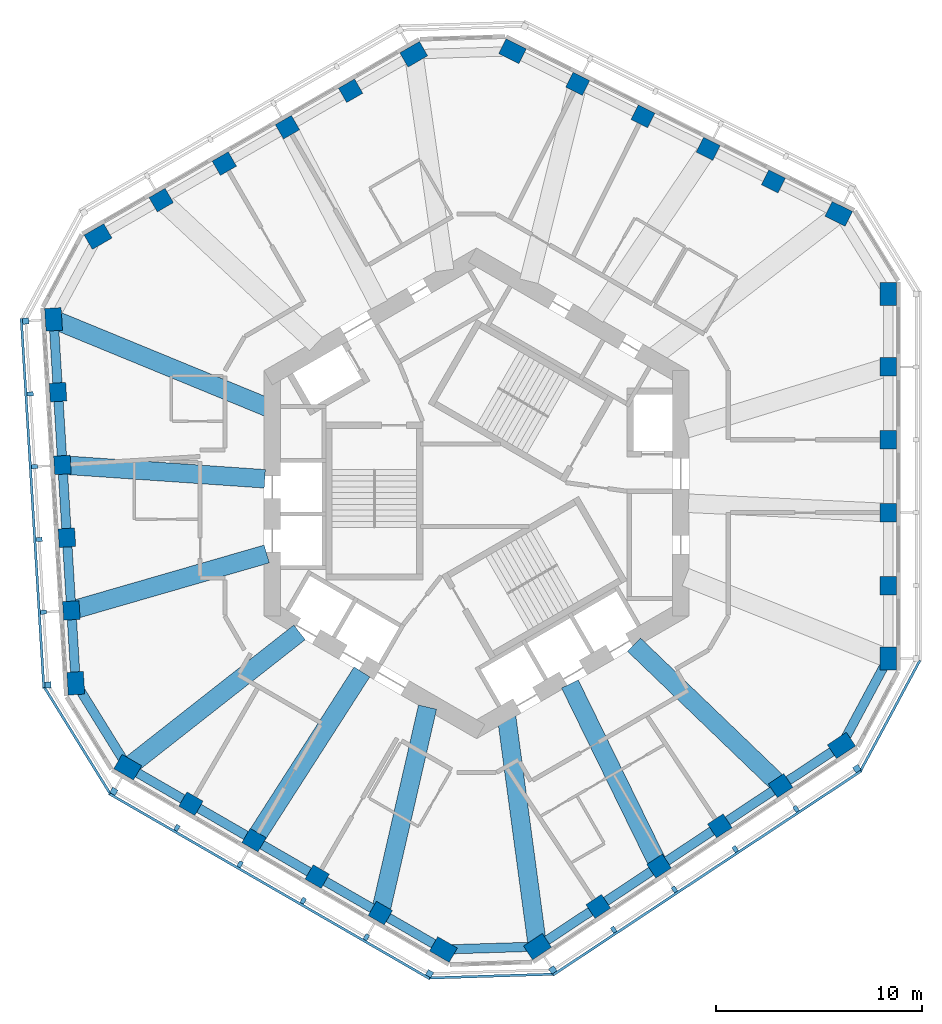
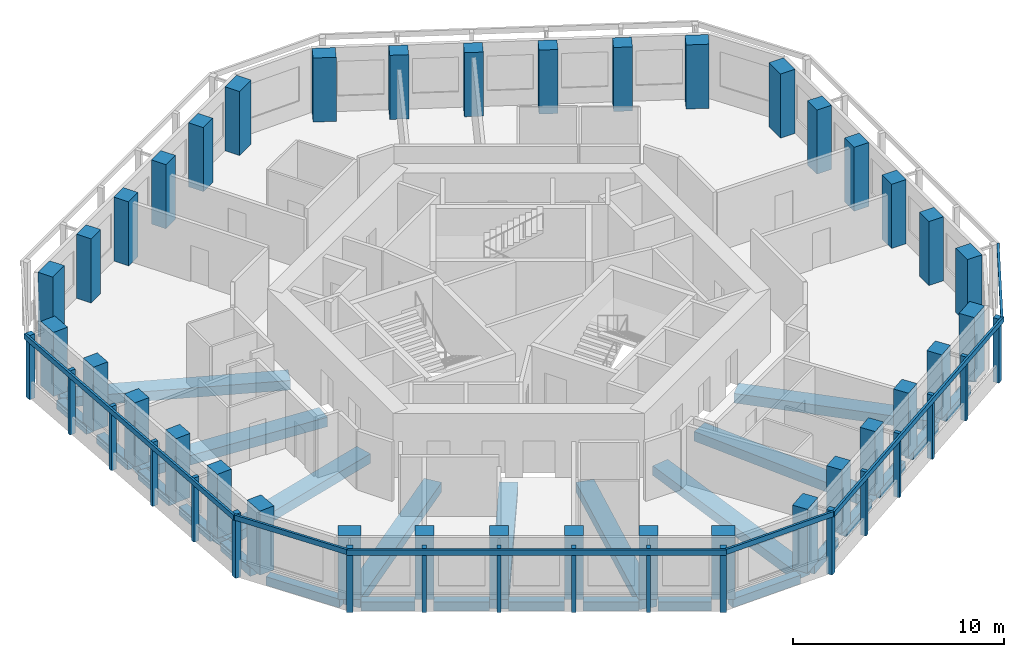
# One storey, part 1 of 11: 36 columns, 27 beams, 24 members, 6 elements without a shape of their own.
"""IFC4 building model written with IfcOpenShell, lengths in metres."""

from ifc_helpers import new_model, si_unit, direction, frame, origin, origin_2d, place, context, subcontext, project, spatial, rectangle, extrude, material, material_profile, profile_set, type_object, element, aggregate, save


model = new_model("IFC4")

# Units and contexts
model_context = context("Model", 3, precision=1e-05, world=origin(), true_north=direction((0.0, 1.0)))
body_context = subcontext(model_context, "Body", "Model", "MODEL_VIEW")
ifc_project = project(units=[si_unit("LENGTHUNIT", "METRE"), si_unit("AREAUNIT", "SQUARE_METRE"), si_unit("VOLUMEUNIT", "CUBIC_METRE"), si_unit("PLANEANGLEUNIT", "RADIAN"), si_unit("MASSUNIT", "GRAM", prefix="KILO")], contexts=[model_context])

# Site, building, storey
site_placement = place(None, origin())
site = spatial("IfcSite", under=ifc_project, at=site_placement, CompositionType="ELEMENT")
building_placement = place(site_placement, origin())
building = spatial("IfcBuilding", under=site, at=building_placement, Name="Vanh Sen Convention Tower", CompositionType="ELEMENT")
storey_placement = place(building_placement, frame((0.0, 0.0, 236.5)))
storey = spatial("IfcBuildingStorey", under=building, at=storey_placement, Name="L58", CompositionType="ELEMENT", Elevation=236.5)

# Columns
ifc_material_1 = material(Name="Concrete C60/75", Category="concrete")
ifc_material_profile_1 = material_profile(ifc_material_1, rectangle(XDim=0.89990234375, YDim=0.800048828125, at=origin_2d()), Name="RC 900X800")
ifc_profile_set_1 = profile_set([ifc_material_profile_1], Name="Concrete C60/75")
column_type_1 = type_object("IfcColumnType", Name="Facade column 900 x 800 C60/75", PredefinedType="COLUMN", material=ifc_profile_set_1)
for number, where, z_axis, x_axis, name in (
    (1, (19.949951171875, -4.46923828125, 0.0), (0.0, 0.0, 1.0), (0.0, 1.0, 0.0), "Facade column 02 L58"),
    (2, (19.949951171875, -0.935546875, 0.0), (0.0, 0.0, 1.0), (0.0, 1.0, 0.0), "Facade column 03 L58"),
    (3, (19.949951171875, 2.59814453125, 0.0), (0.0, 0.0, 1.0), (0.0, 1.0, 0.0), "Facade column 04 L58"),
    (4, (19.949951171875, 6.131591796875, 0.0), (0.0, 0.0, 1.0), (0.0, 1.0, 0.0), "Facade column 05 L58"),
    (5, (14.38916015625, 15.117919921875, 0.0), (0.0, 0.0, 1.0), (-0.894934361602, 0.44619781311, 0.0), "Facade column 08 L58"),
    (6, (11.226806640625, 16.694580078125, 0.0), (0.0, 0.0, 1.0), (-0.894934361602, 0.44619781311, 0.0), "Facade column 09 L58"),
    (7, (8.064453125, 18.271484375, 0.0), (0.0, 0.0, 1.0), (-0.894934361602, 0.44619781311, 0.0), "Facade column 10 L58"),
    (8, (4.902099609375, 19.84814453125, 0.0), (0.0, 0.0, 1.0), (-0.894934361602, 0.44619781311, 0.0), "Facade column 11 L58"),
    (9, (-6.1044921875, 19.51171875, 0.0), (0.0, 0.0, 1.0), (-0.866025403784, -0.5, 0.0), "Facade column 14 L58"),
    (10, (-9.164794921875, 17.7451171875, 0.0), (0.0, 0.0, 1.0), (-0.866025403784, -0.5, 0.0), "Facade column 15 L58"),
    (11, (-12.22509765625, 15.978271484375, 0.0), (0.0, 0.0, 1.0), (-0.866025403784, -0.5, 0.0), "Facade column 16 L58"),
    (12, (-15.28515625, 14.211181640625, 0.0), (0.0, 0.0, 1.0), (-0.866025403784, -0.5, 0.0), "Facade column 17 L58"),
    (13, (-20.287109375, 4.90234375, 0.0), (0.0, 0.0, 1.0), (0.061048539535, -0.998134798422, 0.0), "Facade column 20 L58"),
    (14, (-20.0712890625, 1.375244140625, 0.0), (0.0, 0.0, 1.0), (0.061048539535, -0.998134798422, 0.0), "Facade column 21 L58"),
    (15, (-19.855712890625, -2.151611328125, 0.0), (0.0, 0.0, 1.0), (0.061048539535, -0.998134798422, 0.0), "Facade column 22 L58"),
    (16, (-19.639892578125, -5.6787109375, 0.0), (0.0, 0.0, 1.0), (0.061048539535, -0.998134798422, 0.0), "Facade column 23 L58"),
    (17, (-13.845458984375, -15.04248046875, 0.0), (0.0, 0.0, 1.0), (0.866025403784, -0.5, 0.0), "Facade column 26 L58"),
    (18, (-10.78515625, -16.809326171875, 0.0), (0.0, 0.0, 1.0), (0.866025403784, -0.5, 0.0), "Facade column 27 L58"),
    (19, (-7.72509765625, -18.576416015625, 0.0), (0.0, 0.0, 1.0), (0.866025403784, -0.5, 0.0), "Facade column 28 L58"),
    (20, (-4.664794921875, -20.343017578125, 0.0), (0.0, 0.0, 1.0), (0.866025403784, -0.5, 0.0), "Facade column 29 L58"),
    (21, (5.89794921875, -20.0205078125, 0.0), (0.0, 0.0, 1.0), (0.833885822067, 0.551936985312, 0.0), "Facade column 32 L58"),
    (22, (8.844482421875, -18.070068359375, 0.0), (0.0, 0.0, 1.0), (0.833885822067, 0.551936985312, 0.0), "Facade column 33 L58"),
    (23, (11.791259765625, -16.11962890625, 0.0), (0.0, 0.0, 1.0), (0.833885822067, 0.551936985312, 0.0), "Facade column 34 L58"),
    (24, (14.73779296875, -14.169189453125, 0.0), (0.0, 0.0, 1.0), (0.833885822067, 0.551936985312, 0.0), "Facade column 35 L58"),
):
    element("IfcColumn", number, at=place(storey_placement, frame(where, z_axis=z_axis, x_axis=x_axis)), inside=storey, type_object=column_type_1, Name=name, PredefinedType="COLUMN", context=body_context, shape_type="SweptSolid", body=[
        extrude(rectangle(XDim=0.89990234375, YDim=0.800048828125, at=origin_2d()), origin(), (0.0, 0.0, 1.0), 3.699951171875),
    ])
ifc_material_profile_2 = material_profile(ifc_material_1, rectangle(XDim=1.10009765625, YDim=0.800048828125, at=origin_2d()), Name="RC 1100X800")
ifc_profile_set_2 = profile_set([ifc_material_profile_2], Name="Concrete C60/75")
column_type_2 = type_object("IfcColumnType", Name="Facade corner column 1100 x 800 C60/75", PredefinedType="COLUMN", material=ifc_profile_set_2)
for number, where, z_axis, x_axis, name in (
    (25, (19.949951171875, -8.002685546875, 0.0), (0.0, 0.0, 1.0), (0.0, 1.0, 0.0), "Facade column 01 L58"),
    (26, (19.949951171875, 9.665283203125, 0.0), (0.0, 0.0, 1.0), (0.0, 1.0, 0.0), "Facade column 06 L58"),
    (27, (17.551513671875, 13.541259765625, 0.0), (0.0, 0.0, 1.0), (-0.894934361602, 0.44619781311, 0.0), "Facade column 07 L58"),
    (28, (1.73974609375, 21.4248046875, 0.0), (0.0, 0.0, 1.0), (-0.894934361602, 0.44619781311, 0.0), "Facade column 12 L58"),
    (29, (-3.04443359375, 21.278564453125, 0.0), (0.0, 0.0, 1.0), (-0.866025403784, -0.5, 0.0), "Facade column 13 L58"),
    (30, (-18.345458984375, 12.444580078125, 0.0), (0.0, 0.0, 1.0), (-0.866025403784, -0.5, 0.0), "Facade column 18 L58"),
    (31, (-20.502685546875, 8.429443359375, 0.0), (0.0, 0.0, 1.0), (0.061048539535, -0.998134798422, 0.0), "Facade column 19 L58"),
    (32, (-19.42431640625, -9.205810546875, 0.0), (0.0, 0.0, 1.0), (0.061048539535, -0.998134798422, 0.0), "Facade column 24 L58"),
    (33, (-16.905517578125, -13.27587890625, 0.0), (0.0, 0.0, 1.0), (0.866025403784, -0.5, 0.0), "Facade column 25 L58"),
    (34, (-1.6044921875, -22.10986328125, 0.0), (0.0, 0.0, 1.0), (0.866025403784, -0.5, 0.0), "Facade column 30 L58"),
    (35, (2.951416015625, -21.970703125, 0.0), (0.0, 0.0, 1.0), (0.833885822067, 0.551936985312, 0.0), "Facade column 31 L58"),
    (36, (17.6845703125, -12.218994140625, 0.0), (0.0, 0.0, 1.0), (0.833885822067, 0.551936985312, 0.0), "Facade column 36 L58"),
):
    element("IfcColumn", number, at=place(storey_placement, frame(where, z_axis=z_axis, x_axis=x_axis)), inside=storey, type_object=column_type_2, Name=name, PredefinedType="COLUMN", context=body_context, shape_type="SweptSolid", body=[
        extrude(rectangle(XDim=1.10009765625, YDim=0.800048828125, at=origin_2d()), origin(), (0.0, 0.0, 1.0), 3.699951171875),
    ])

# Curtain wall, members
ifc_material_2 = material(Name="Concrete C50/60", Category="concrete")
curtain_wall_type = type_object("IfcCurtainWallType", Name="Outer skin office zone", PredefinedType="NOTDEFINED", material=ifc_material_2)
curtain_wall_1_placement = place(storey_placement, origin())
curtain_wall_1 = element("IfcCurtainWall", 37, at=curtain_wall_1_placement, inside=storey, type_object=curtain_wall_type, Name="OUTER SKIN W L58", PredefinedType="NOTDEFINED")
ifc_material_profile_3 = material_profile(ifc_material_2, rectangle(XDim=0.300048828125, YDim=0.300048828125, at=origin_2d()), Name="Outer skin precast corner fin 300 x 300")
ifc_profile_set_3 = profile_set([ifc_material_profile_3], Name="Concrete C50/60")
member_type_1 = type_object("IfcMemberType", Name="Outer skin precast corner fin 300 x 300", PredefinedType="MULLION", material=ifc_profile_set_3)
member_1_placement = place(storey_placement, frame((-21.850341796875, 8.346923828125, 0.0), z_axis=(0.0, 0.0, 1.0), x_axis=(0.061048539535, -0.998134798422, 0.0)))
member_1 = element("IfcMember", 38, at=member_1_placement, type_object=member_type_1, Name="OUTER SKIN CORNER FIN 1 W L58", PredefinedType="MULLION", context=body_context, shape_type="SweptSolid", body=[
    extrude(rectangle(XDim=0.300048828125, YDim=0.300048828125, at=origin_2d()), origin(), (0.0, 0.0, 1.0), 3.699951171875),
])
member_2_placement = place(storey_placement, frame((-20.771728515625, -9.2880859375, 0.0), z_axis=(0.0, 0.0, 1.0), x_axis=(0.061048539535, -0.998134798422, 0.0)))
member_2 = element("IfcMember", 39, at=member_2_placement, type_object=member_type_1, Name="OUTER SKIN CORNER FIN 6 W L58", PredefinedType="MULLION", context=body_context, shape_type="SweptSolid", body=[
    extrude(rectangle(XDim=0.300048828125, YDim=0.300048828125, at=origin_2d()), origin(), (0.0, 0.0, 1.0), 3.699951171875),
])

curtain_wall_2_placement = place(storey_placement, origin())
curtain_wall_2 = element("IfcCurtainWall", 40, at=curtain_wall_2_placement, inside=storey, type_object=curtain_wall_type, Name="OUTER SKIN SW L58", PredefinedType="NOTDEFINED")
member_3_placement = place(storey_placement, frame((-17.58056640625, -14.44482421875, 0.0), z_axis=(0.0, 0.0, 1.0), x_axis=(0.866025403784, -0.5, 0.0)))
member_3 = element("IfcMember", 41, at=member_3_placement, type_object=member_type_1, Name="OUTER SKIN CORNER FIN 1 SW L58", PredefinedType="MULLION", context=body_context, shape_type="SweptSolid", body=[
    extrude(rectangle(XDim=0.300048828125, YDim=0.300048828125, at=origin_2d()), origin(), (0.0, 0.0, 1.0), 3.699951171875),
])
member_4_placement = place(storey_placement, frame((-2.279541015625, -23.279052734375, 0.0), z_axis=(0.0, 0.0, 1.0), x_axis=(0.866025403784, -0.5, 0.0)))
member_4 = element("IfcMember", 42, at=member_4_placement, type_object=member_type_1, Name="OUTER SKIN CORNER FIN 6 SW L58", PredefinedType="MULLION", context=body_context, shape_type="SweptSolid", body=[
    extrude(rectangle(XDim=0.300048828125, YDim=0.300048828125, at=origin_2d()), origin(), (0.0, 0.0, 1.0), 3.699951171875),
])

curtain_wall_3_placement = place(storey_placement, origin())
curtain_wall_3 = element("IfcCurtainWall", 43, at=curtain_wall_3_placement, inside=storey, type_object=curtain_wall_type, Name="OUTER SKIN SE L58", PredefinedType="NOTDEFINED")
member_5_placement = place(storey_placement, frame((3.6962890625, -23.096435546875, 0.0), z_axis=(0.0, 0.0, 1.0), x_axis=(0.833885822067, 0.551936985312, 0.0)))
member_5 = element("IfcMember", 44, at=member_5_placement, type_object=member_type_1, Name="OUTER SKIN CORNER FIN 1 SE L58", PredefinedType="MULLION", context=body_context, shape_type="SweptSolid", body=[
    extrude(rectangle(XDim=0.300048828125, YDim=0.300048828125, at=origin_2d()), origin(), (0.0, 0.0, 1.0), 3.699951171875),
])
member_6_placement = place(storey_placement, frame((18.4296875, -13.3447265625, 0.0), z_axis=(0.0, 0.0, 1.0), x_axis=(0.833885822067, 0.551936985312, 0.0)))
member_6 = element("IfcMember", 45, at=member_6_placement, type_object=member_type_1, Name="OUTER SKIN CORNER FIN 6 SE L58", PredefinedType="MULLION", context=body_context, shape_type="SweptSolid", body=[
    extrude(rectangle(XDim=0.300048828125, YDim=0.300048828125, at=origin_2d()), origin(), (0.0, 0.0, 1.0), 3.699951171875),
])

# Member
ifc_material_profile_4 = material_profile(ifc_material_2, rectangle(XDim=0.199951171875, YDim=0.300048828125, at=origin_2d()), Name="Outer skin precast fin 200 x 300")
ifc_profile_set_4 = profile_set([ifc_material_profile_4], Name="Concrete C50/60")
member_type_2 = type_object("IfcMemberType", Name="Outer skin precast fin 200 x 300", PredefinedType="MULLION", material=ifc_profile_set_4)
member_7_placement = place(storey_placement, frame((-21.634521484375, 4.820068359375, 0.0), z_axis=(0.0, 0.0, 1.0), x_axis=(0.061048539535, -0.998134798422, 0.0)))
member_7 = element("IfcMember", 46, at=member_7_placement, type_object=member_type_2, Name="OUTER SKIN fin 2 W L58", PredefinedType="MULLION", context=body_context, shape_type="SweptSolid", body=[
    extrude(rectangle(XDim=0.199951171875, YDim=0.300048828125, at=origin_2d()), origin(), (0.0, 0.0, 1.0), 3.699951171875),
])

member_8_placement = place(storey_placement, frame((-21.4189453125, 1.29296875, 0.0), z_axis=(0.0, 0.0, 1.0), x_axis=(0.061048539535, -0.998134798422, 0.0)))
member_8 = element("IfcMember", 47, at=member_8_placement, type_object=member_type_2, Name="OUTER SKIN fin 3 W L58", PredefinedType="MULLION", context=body_context, shape_type="SweptSolid", body=[
    extrude(rectangle(XDim=0.199951171875, YDim=0.300048828125, at=origin_2d()), origin(), (0.0, 0.0, 1.0), 3.699951171875),
])

member_9_placement = place(storey_placement, frame((-21.203125, -2.234130859375, 0.0), z_axis=(0.0, 0.0, 1.0), x_axis=(0.061048539535, -0.998134798422, 0.0)))
member_9 = element("IfcMember", 48, at=member_9_placement, type_object=member_type_2, Name="OUTER SKIN fin 4 W L58", PredefinedType="MULLION", context=body_context, shape_type="SweptSolid", body=[
    extrude(rectangle(XDim=0.199951171875, YDim=0.300048828125, at=origin_2d()), origin(), (0.0, 0.0, 1.0), 3.699951171875),
])

member_10_placement = place(storey_placement, frame((-20.987548828125, -5.760986328125, 0.0), z_axis=(0.0, 0.0, 1.0), x_axis=(0.061048539535, -0.998134798422, 0.0)))
member_10 = element("IfcMember", 49, at=member_10_placement, type_object=member_type_2, Name="OUTER SKIN fin 5 W L58", PredefinedType="MULLION", context=body_context, shape_type="SweptSolid", body=[
    extrude(rectangle(XDim=0.199951171875, YDim=0.300048828125, at=origin_2d()), origin(), (0.0, 0.0, 1.0), 3.699951171875),
])

member_11_placement = place(storey_placement, frame((-14.5205078125, -16.211669921875, 0.0), z_axis=(0.0, 0.0, 1.0), x_axis=(0.866025403784, -0.5, 0.0)))
member_11 = element("IfcMember", 50, at=member_11_placement, type_object=member_type_2, Name="OUTER SKIN fin 2 SW L58", PredefinedType="MULLION", context=body_context, shape_type="SweptSolid", body=[
    extrude(rectangle(XDim=0.199951171875, YDim=0.300048828125, at=origin_2d()), origin(), (0.0, 0.0, 1.0), 3.699951171875),
])

member_12_placement = place(storey_placement, frame((-11.460205078125, -17.978515625, 0.0), z_axis=(0.0, 0.0, 1.0), x_axis=(0.866025403784, -0.5, 0.0)))
member_12 = element("IfcMember", 51, at=member_12_placement, type_object=member_type_2, Name="OUTER SKIN fin 3 SW L58", PredefinedType="MULLION", context=body_context, shape_type="SweptSolid", body=[
    extrude(rectangle(XDim=0.199951171875, YDim=0.300048828125, at=origin_2d()), origin(), (0.0, 0.0, 1.0), 3.699951171875),
])

member_13_placement = place(storey_placement, frame((-8.39990234375, -19.745361328125, 0.0), z_axis=(0.0, 0.0, 1.0), x_axis=(0.866025403784, -0.5, 0.0)))
member_13 = element("IfcMember", 52, at=member_13_placement, type_object=member_type_2, Name="OUTER SKIN fin 4 SW L58", PredefinedType="MULLION", context=body_context, shape_type="SweptSolid", body=[
    extrude(rectangle(XDim=0.199951171875, YDim=0.300048828125, at=origin_2d()), origin(), (0.0, 0.0, 1.0), 3.699951171875),
])

member_14_placement = place(storey_placement, frame((-5.33984375, -21.51220703125, 0.0), z_axis=(0.0, 0.0, 1.0), x_axis=(0.866025403784, -0.5, 0.0)))
member_14 = element("IfcMember", 53, at=member_14_placement, type_object=member_type_2, Name="OUTER SKIN fin 5 SW L58", PredefinedType="MULLION", context=body_context, shape_type="SweptSolid", body=[
    extrude(rectangle(XDim=0.199951171875, YDim=0.300048828125, at=origin_2d()), origin(), (0.0, 0.0, 1.0), 3.699951171875),
])

member_15_placement = place(storey_placement, frame((6.64306640625, -21.14599609375, 0.0), z_axis=(0.0, 0.0, 1.0), x_axis=(0.833885822067, 0.551936985312, 0.0)))
member_15 = element("IfcMember", 54, at=member_15_placement, type_object=member_type_2, Name="OUTER SKIN fin 2 SE L58", PredefinedType="MULLION", context=body_context, shape_type="SweptSolid", body=[
    extrude(rectangle(XDim=0.199951171875, YDim=0.300048828125, at=origin_2d()), origin(), (0.0, 0.0, 1.0), 3.699951171875),
])

member_16_placement = place(storey_placement, frame((9.589599609375, -19.19580078125, 0.0), z_axis=(0.0, 0.0, 1.0), x_axis=(0.833885822067, 0.551936985312, 0.0)))
member_16 = element("IfcMember", 55, at=member_16_placement, type_object=member_type_2, Name="OUTER SKIN fin 3 SE L58", PredefinedType="MULLION", context=body_context, shape_type="SweptSolid", body=[
    extrude(rectangle(XDim=0.199951171875, YDim=0.300048828125, at=origin_2d()), origin(), (0.0, 0.0, 1.0), 3.699951171875),
])

member_17_placement = place(storey_placement, frame((12.536376953125, -17.245361328125, 0.0), z_axis=(0.0, 0.0, 1.0), x_axis=(0.833885822067, 0.551936985312, 0.0)))
member_17 = element("IfcMember", 56, at=member_17_placement, type_object=member_type_2, Name="OUTER SKIN fin 4 SE L58", PredefinedType="MULLION", context=body_context, shape_type="SweptSolid", body=[
    extrude(rectangle(XDim=0.199951171875, YDim=0.300048828125, at=origin_2d()), origin(), (0.0, 0.0, 1.0), 3.699951171875),
])

member_18_placement = place(storey_placement, frame((15.48291015625, -15.294921875, 0.0), z_axis=(0.0, 0.0, 1.0), x_axis=(0.833885822067, 0.551936985312, 0.0)))
member_18 = element("IfcMember", 57, at=member_18_placement, type_object=member_type_2, Name="OUTER SKIN fin 5 SE L58", PredefinedType="MULLION", context=body_context, shape_type="SweptSolid", body=[
    extrude(rectangle(XDim=0.199951171875, YDim=0.300048828125, at=origin_2d()), origin(), (0.0, 0.0, 1.0), 3.699951171875),
])

ifc_material_profile_5 = material_profile(ifc_material_2, rectangle(XDim=0.1201171875, YDim=0.300048828125, at=origin_2d()), Name="Outer skin precast spandrel band 300 x 120")
ifc_profile_set_5 = profile_set([ifc_material_profile_5], Name="Concrete C50/60")
member_type_3 = type_object("IfcMemberType", Name="Outer skin precast spandrel band 300 x 120", PredefinedType="USERDEFINED", material=ifc_profile_set_5)
member_19_placement = place(storey_placement, frame((-22.069091796875, 8.48388671875, 3.550048828125), z_axis=(0.061048457282, -0.998134803453, 0.0), x_axis=(0.998134803453, 0.061048457282, 0.0)))
member_19 = element("IfcMember", 58, at=member_19_placement, type_object=member_type_3, Name="OUTER SKIN spandrel band W L58", ObjectType="TRANSOM", PredefinedType="USERDEFINED", context=body_context, shape_type="SweptSolid", body=[
    extrude(rectangle(XDim=0.1201171875, YDim=0.300048828125, at=origin_2d()), origin(), (0.0, 0.0, 1.0), 17.968017578125),
])

aggregate(curtain_wall_1, [member_1, member_7, member_8, member_9, member_10, member_2, member_19])

# Curtain wall, member
curtain_wall_4_placement = place(storey_placement, origin())
curtain_wall_4 = element("IfcCurtainWall", 59, at=curtain_wall_4_placement, inside=storey, type_object=curtain_wall_type, Name="OUTER SKIN CH4 L58", PredefinedType="NOTDEFINED")
member_20_placement = place(storey_placement, frame((-20.9501953125, -9.398681640625, 3.550048828125), z_axis=(0.526193830542, -0.850364658661, 0.0), x_axis=(0.850364658661, 0.526193830542, 0.0)))
member_20 = element("IfcMember", 60, at=member_20_placement, type_object=member_type_3, Name="OUTER SKIN spandrel band CH4 L58", ObjectType="TRANSOM", PredefinedType="USERDEFINED", context=body_context, shape_type="SweptSolid", body=[
    extrude(rectangle(XDim=0.1201171875, YDim=0.300048828125, at=origin_2d()), origin(), (0.0, 0.0, 1.0), 6.064208984375),
])
aggregate(curtain_wall_4, [member_20])

# Member
member_21_placement = place(storey_placement, frame((-17.8154296875, -14.5517578125, 3.550048828125), z_axis=(0.866022898019, -0.500004340088, 0.0), x_axis=(0.500004340088, 0.866022898019, 0.0)))
member_21 = element("IfcMember", 61, at=member_21_placement, type_object=member_type_3, Name="OUTER SKIN spandrel band SW L58", ObjectType="TRANSOM", PredefinedType="USERDEFINED", context=body_context, shape_type="SweptSolid", body=[
    extrude(rectangle(XDim=0.1201171875, YDim=0.300048828125, at=origin_2d()), origin(), (0.0, 0.0, 1.0), 17.968017578125),
])

aggregate(curtain_wall_2, [member_3, member_11, member_12, member_13, member_14, member_4, member_21])

# Curtain wall, member
curtain_wall_5_placement = place(storey_placement, origin())
curtain_wall_5 = element("IfcCurtainWall", 62, at=curtain_wall_5_placement, inside=storey, type_object=curtain_wall_type, Name="OUTER SKIN CH5 L58", PredefinedType="NOTDEFINED")
member_22_placement = place(storey_placement, frame((-2.273193359375, -23.489013671875, 3.550048828125), z_axis=(0.99953342946, 0.030543794642, 0.0), x_axis=(-0.030543794642, 0.99953342946, 0.0)))
member_22 = element("IfcMember", 63, at=member_22_placement, type_object=member_type_3, Name="OUTER SKIN spandrel band CH5 L58", ObjectType="TRANSOM", PredefinedType="USERDEFINED", context=body_context, shape_type="SweptSolid", body=[
    extrude(rectangle(XDim=0.1201171875, YDim=0.300048828125, at=origin_2d()), origin(), (0.0, 0.0, 1.0), 5.978759765625),
])
aggregate(curtain_wall_5, [member_22])

# Member
member_23_placement = place(storey_placement, frame((3.687255859375, -23.3544921875, 3.550048828125), z_axis=(0.83388107344, 0.551944159638, 0.0), x_axis=(-0.551944159638, 0.83388107344, 0.0)))
member_23 = element("IfcMember", 64, at=member_23_placement, type_object=member_type_3, Name="OUTER SKIN spandrel band SE L58", ObjectType="TRANSOM", PredefinedType="USERDEFINED", context=body_context, shape_type="SweptSolid", body=[
    extrude(rectangle(XDim=0.1201171875, YDim=0.300048828125, at=origin_2d()), origin(), (0.0, 0.0, 1.0), 17.96826171875),
])

aggregate(curtain_wall_3, [member_5, member_15, member_16, member_17, member_18, member_6, member_23])

# Curtain wall, member
curtain_wall_6_placement = place(storey_placement, origin())
curtain_wall_6 = element("IfcCurtainWall", 65, at=curtain_wall_6_placement, inside=storey, type_object=curtain_wall_type, Name="OUTER SKIN CH6 L58", PredefinedType="NOTDEFINED")
member_24_placement = place(storey_placement, frame((18.61474609375, -13.444091796875, 3.550048828125), z_axis=(0.473333785199, 0.880883152177, 0.0), x_axis=(-0.880883152177, 0.473333785199, 0.0)))
member_24 = element("IfcMember", 66, at=member_24_placement, type_object=member_type_3, Name="OUTER SKIN spandrel band CH6 L58", ObjectType="TRANSOM", PredefinedType="USERDEFINED", context=body_context, shape_type="SweptSolid", body=[
    extrude(rectangle(XDim=0.1201171875, YDim=0.300048828125, at=origin_2d()), origin(), (0.0, 0.0, 1.0), 6.064208984375),
])
aggregate(curtain_wall_6, [member_24])

# Beams
ifc_material_3 = material(Name="Concrete C50/60", Category="concrete")
ifc_material_profile_6 = material_profile(ifc_material_3, rectangle(XDim=0.89990234375, YDim=0.550048828125, at=origin_2d()), Name="RC 900X550")
ifc_profile_set_6 = profile_set([ifc_material_profile_6], Name="Concrete C50/60")
beam_type_1 = type_object("IfcBeamType", Name="Radial floor beam 900 x 550", PredefinedType="BEAM", material=ifc_profile_set_6)
beam_1_placement = place(storey_placement, frame((-20.298095703125, 8.34521484375, -0.554931640625), z_axis=(0.924881589255, -0.380255237778, 0.0), x_axis=(0.380255237778, 0.924881589255, 0.0)))
element("IfcBeam", 67, at=beam_1_placement, inside=storey, type_object=beam_type_1, Name="Radial beam 10 L58", PredefinedType="BEAM", context=body_context, shape_type="SweptSolid", body=[
    extrude(rectangle(XDim=0.89990234375, YDim=0.550048828125, at=origin_2d()), origin(), (0.0, 0.0, 1.0), 11.000244140625),
])
beam_2_placement = place(storey_placement, frame((-20.04736328125, 1.373779296875, -0.554931640625), z_axis=(0.997660286065, -0.068366319264, 0.0), x_axis=(0.068366319264, 0.997660286065, 0.0)))
element("IfcBeam", 68, at=beam_2_placement, inside=storey, type_object=beam_type_1, Name="Radial beam 11 L58", PredefinedType="BEAM", context=body_context, shape_type="SweptSolid", body=[
    extrude(rectangle(XDim=0.89990234375, YDim=0.550048828125, at=origin_2d()), origin(), (0.0, 0.0, 1.0), 9.80615234375),
])
beam_3_placement = place(storey_placement, frame((-19.596923828125, -5.666259765625, -0.554931640625), z_axis=(0.960651653267, 0.277756009973, 0.0), x_axis=(-0.277756009973, 0.960651653267, 0.0)))
element("IfcBeam", 69, at=beam_3_placement, inside=storey, type_object=beam_type_1, Name="Radial beam 12 L58", PredefinedType="BEAM", context=body_context, shape_type="SweptSolid", body=[
    extrude(rectangle(XDim=0.89990234375, YDim=0.550048828125, at=origin_2d()), origin(), (0.0, 0.0, 1.0), 9.81298828125),
])
beam_4_placement = place(storey_placement, frame((-16.71240234375, -13.124267578125, -0.554931640625), z_axis=(0.786468287058, 0.617630661036, 0.0), x_axis=(-0.617630661036, 0.786468287058, 0.0)))
element("IfcBeam", 70, at=beam_4_placement, inside=storey, type_object=beam_type_1, Name="Radial beam 13 L58", PredefinedType="BEAM", context=body_context, shape_type="SweptSolid", body=[
    extrude(rectangle(XDim=0.89990234375, YDim=0.550048828125, at=origin_2d()), origin(), (0.0, 0.0, 1.0), 10.33740234375),
])
beam_5_placement = place(storey_placement, frame((-10.7822265625, -16.804931640625, -0.554931640625), z_axis=(0.540007952094, 0.841659914499, 0.0), x_axis=(-0.841659914499, 0.540007952094, 0.0)))
element("IfcBeam", 71, at=beam_5_placement, inside=storey, type_object=beam_type_1, Name="Radial beam 14 L58", PredefinedType="BEAM", context=body_context, shape_type="SweptSolid", body=[
    extrude(rectangle(XDim=0.89990234375, YDim=0.550048828125, at=origin_2d()), origin(), (0.0, 0.0, 1.0), 9.681396484375),
])
beam_6_placement = place(storey_placement, frame((-4.65087890625, -20.281982421875, -0.554931640625), z_axis=(0.223504847776, 0.974702817797, 0.0), x_axis=(-0.974702817797, 0.223504847776, 0.0)))
element("IfcBeam", 72, at=beam_6_placement, inside=storey, type_object=beam_type_1, Name="Radial beam 15 L58", PredefinedType="BEAM", context=body_context, shape_type="SweptSolid", body=[
    extrude(rectangle(XDim=0.89990234375, YDim=0.550048828125, at=origin_2d()), origin(), (0.0, 0.0, 1.0), 10.176025390625),
])
beam_7_placement = place(storey_placement, frame((2.921875, -21.751220703125, -0.554931640625), z_axis=(-0.133144963531, 0.991096573844, 0.0), x_axis=(-0.991096573844, -0.133144963531, 0.0)))
element("IfcBeam", 73, at=beam_7_placement, inside=storey, type_object=beam_type_1, Name="Radial beam 16 L58", PredefinedType="BEAM", context=body_context, shape_type="SweptSolid", body=[
    extrude(rectangle(XDim=0.89990234375, YDim=0.550048828125, at=origin_2d()), origin(), (0.0, 0.0, 1.0), 11.0),
])
beam_8_placement = place(storey_placement, frame((8.833984375, -18.04833984375, -0.554931640625), z_axis=(-0.439628935164, 0.898179491731, 0.0), x_axis=(-0.898179491731, -0.439628935164, 0.0)))
element("IfcBeam", 74, at=beam_8_placement, inside=storey, type_object=beam_type_1, Name="Radial beam 17 L58", PredefinedType="BEAM", context=body_context, shape_type="SweptSolid", body=[
    extrude(rectangle(XDim=0.89990234375, YDim=0.550048828125, at=origin_2d()), origin(), (0.0, 0.0, 1.0), 9.80615234375),
])
beam_9_placement = place(storey_placement, frame((14.70556640625, -14.13818359375, -0.554931640625), z_axis=(-0.720878004506, 0.693061976031, 0.0), x_axis=(-0.693061976031, -0.720878004506, 0.0)))
element("IfcBeam", 75, at=beam_9_placement, inside=storey, type_object=beam_type_1, Name="Radial beam 18 L58", PredefinedType="BEAM", context=body_context, shape_type="SweptSolid", body=[
    extrude(rectangle(XDim=0.89990234375, YDim=0.550048828125, at=origin_2d()), origin(), (0.0, 0.0, 1.0), 9.812744140625),
])
ifc_material_profile_7 = material_profile(ifc_material_3, rectangle(XDim=0.449951171875, YDim=0.5, at=origin_2d()), Name="RC 450X500")
ifc_profile_set_7 = profile_set([ifc_material_profile_7], Name="Concrete C50/60")
beam_type_2 = type_object("IfcBeamType", Name="Spandrel beam 450 x 500", PredefinedType="SPANDREL", material=ifc_profile_set_7)
beam_10_placement = place(storey_placement, frame((-20.469482421875, 7.885498046875, -0.530029296875), z_axis=(0.061039814536, -0.998135332027, 0.0), x_axis=(0.998135332027, 0.061039814536, 0.0)))
element("IfcBeam", 76, at=beam_10_placement, inside=storey, type_object=beam_type_2, Name="Spandrel beam 19 L58", PredefinedType="SPANDREL", context=body_context, shape_type="SweptSolid", body=[
    extrude(rectangle(XDim=0.449951171875, YDim=0.5, at=origin_2d()), origin(), (0.0, 0.0, 1.0), 2.543701171875),
])
beam_11_placement = place(storey_placement, frame((-20.260009765625, 4.458251953125, -0.530029296875), z_axis=(0.061038717625, -0.998135399107, 0.0), x_axis=(0.998135399107, 0.061038717625, 0.0)))
element("IfcBeam", 77, at=beam_11_placement, inside=storey, type_object=beam_type_2, Name="Spandrel beam 20 L58", PredefinedType="SPANDREL", context=body_context, shape_type="SweptSolid", body=[
    extrude(rectangle(XDim=0.449951171875, YDim=0.5, at=origin_2d()), origin(), (0.0, 0.0, 1.0), 2.643798828125),
])
beam_12_placement = place(storey_placement, frame((-20.044189453125, 0.93115234375, -0.530029296875), z_axis=(0.061044344131, -0.998135055015, 0.0), x_axis=(0.998135055015, 0.061044344131, 0.0)))
element("IfcBeam", 78, at=beam_12_placement, inside=storey, type_object=beam_type_2, Name="Spandrel beam 21 L58", PredefinedType="SPANDREL", context=body_context, shape_type="SweptSolid", body=[
    extrude(rectangle(XDim=0.449951171875, YDim=0.5, at=origin_2d()), origin(), (0.0, 0.0, 1.0), 2.6435546875),
])
beam_13_placement = place(storey_placement, frame((-19.82861328125, -2.595703125, -0.530029296875), z_axis=(0.061038717625, -0.998135399107, 0.0), x_axis=(0.998135399107, 0.061038717625, 0.0)))
element("IfcBeam", 79, at=beam_13_placement, inside=storey, type_object=beam_type_2, Name="Spandrel beam 22 L58", PredefinedType="SPANDREL", context=body_context, shape_type="SweptSolid", body=[
    extrude(rectangle(XDim=0.449951171875, YDim=0.5, at=origin_2d()), origin(), (0.0, 0.0, 1.0), 2.643798828125),
])
beam_14_placement = place(storey_placement, frame((-19.61279296875, -6.122802734375, -0.530029296875), z_axis=(0.061039814536, -0.998135332027, 0.0), x_axis=(0.998135332027, 0.061039814536, 0.0)))
element("IfcBeam", 80, at=beam_14_placement, inside=storey, type_object=beam_type_2, Name="Spandrel beam 23 L58", PredefinedType="SPANDREL", context=body_context, shape_type="SweptSolid", body=[
    extrude(rectangle(XDim=0.449951171875, YDim=0.5, at=origin_2d()), origin(), (0.0, 0.0, 1.0), 2.543701171875),
])
beam_15_placement = place(storey_placement, frame((-19.202392578125, -9.564208984375, -0.530029296875), z_axis=(0.52623738605, -0.850337705576, 0.0), x_axis=(0.850337705576, 0.52623738605, 0.0)))
element("IfcBeam", 81, at=beam_15_placement, inside=storey, type_object=beam_type_2, Name="Spandrel beam 24 L58", PredefinedType="SPANDREL", context=body_context, shape_type="SweptSolid", body=[
    extrude(rectangle(XDim=0.449951171875, YDim=0.5, at=origin_2d()), origin(), (0.0, 0.0, 1.0), 3.943359375),
])
beam_16_placement = place(storey_placement, frame((-16.43359375, -13.54833984375, -0.530029296875), z_axis=(0.866043336059, -0.499968939103, 0.0), x_axis=(0.499968939103, 0.866043336059, 0.0)))
element("IfcBeam", 82, at=beam_16_placement, inside=storey, type_object=beam_type_2, Name="Spandrel beam 25 L58", PredefinedType="SPANDREL", context=body_context, shape_type="SweptSolid", body=[
    extrude(rectangle(XDim=0.449951171875, YDim=0.5, at=origin_2d()), origin(), (0.0, 0.0, 1.0), 2.543701171875),
])
beam_17_placement = place(storey_placement, frame((-13.4599609375, -15.26513671875, -0.530029296875), z_axis=(0.866017944311, -0.500012919964, 0.0), x_axis=(0.500012919964, 0.866017944311, 0.0)))
element("IfcBeam", 83, at=beam_17_placement, inside=storey, type_object=beam_type_2, Name="Spandrel beam 26 L58", PredefinedType="SPANDREL", context=body_context, shape_type="SweptSolid", body=[
    extrude(rectangle(XDim=0.449951171875, YDim=0.5, at=origin_2d()), origin(), (0.0, 0.0, 1.0), 2.6435546875),
])
beam_18_placement = place(storey_placement, frame((-10.39990234375, -17.031982421875, -0.530029296875), z_axis=(0.866041031621, -0.499972930816, 0.0), x_axis=(0.499972930816, 0.866041031621, 0.0)))
element("IfcBeam", 84, at=beam_18_placement, inside=storey, type_object=beam_type_2, Name="Spandrel beam 27 L58", PredefinedType="SPANDREL", context=body_context, shape_type="SweptSolid", body=[
    extrude(rectangle(XDim=0.449951171875, YDim=0.5, at=origin_2d()), origin(), (0.0, 0.0, 1.0), 2.643798828125),
])
beam_19_placement = place(storey_placement, frame((-7.339599609375, -18.798828125, -0.530029296875), z_axis=(0.866017944311, -0.500012919964, 0.0), x_axis=(0.500012919964, 0.866017944311, 0.0)))
element("IfcBeam", 85, at=beam_19_placement, inside=storey, type_object=beam_type_2, Name="Spandrel beam 28 L58", PredefinedType="SPANDREL", context=body_context, shape_type="SweptSolid", body=[
    extrude(rectangle(XDim=0.449951171875, YDim=0.5, at=origin_2d()), origin(), (0.0, 0.0, 1.0), 2.6435546875),
])
beam_20_placement = place(storey_placement, frame((-4.279296875, -20.565673828125, -0.530029296875), z_axis=(0.866043336059, -0.499968939103, 0.0), x_axis=(0.499968939103, 0.866043336059, 0.0)))
element("IfcBeam", 86, at=beam_20_placement, inside=storey, type_object=beam_type_2, Name="Spandrel beam 29 L58", PredefinedType="SPANDREL", context=body_context, shape_type="SweptSolid", body=[
    extrude(rectangle(XDim=0.449951171875, YDim=0.5, at=origin_2d()), origin(), (0.0, 0.0, 1.0), 2.543701171875),
])
beam_21_placement = place(storey_placement, frame((-1.213134765625, -22.097900390625, -0.530029296875), z_axis=(0.999533911408, 0.030528019036, 0.0), x_axis=(-0.030528019036, 0.999533911408, 0.0)))
element("IfcBeam", 87, at=beam_21_placement, inside=storey, type_object=beam_type_2, Name="Spandrel beam 30 L58", PredefinedType="SPANDREL", context=body_context, shape_type="SweptSolid", body=[
    extrude(rectangle(XDim=0.449951171875, YDim=0.5, at=origin_2d()), origin(), (0.0, 0.0, 1.0), 3.774658203125),
])
beam_22_placement = place(storey_placement, frame((3.40576171875, -21.669921875, -0.530029296875), z_axis=(0.833906220349, 0.551906165632, 0.0), x_axis=(-0.551906165632, 0.833906220349, 0.0)))
element("IfcBeam", 88, at=beam_22_placement, inside=storey, type_object=beam_type_2, Name="Spandrel beam 31 L58", PredefinedType="SPANDREL", context=body_context, shape_type="SweptSolid", body=[
    extrude(rectangle(XDim=0.449951171875, YDim=0.5, at=origin_2d()), origin(), (0.0, 0.0, 1.0), 2.54345703125),
])
for number, where, z_axis, x_axis, name in (
    (89, (6.26904296875, -19.77490234375, -0.530029296875), (0.833850316908, 0.551990624007, 0.0), (-0.551990624007, 0.833850316908, 0.0), "Spandrel beam 32 L58"),
    (90, (9.2158203125, -17.824462890625, -0.530029296875), (0.833850316908, 0.551990624007, 0.0), (-0.551990624007, 0.833850316908, 0.0), "Spandrel beam 33 L58"),
    (91, (12.162353515625, -15.8740234375, -0.530029296875), (0.833850316908, 0.551990624007, 0.0), (-0.551990624007, 0.833850316908, 0.0), "Spandrel beam 34 L58"),
):
    element("IfcBeam", number, at=place(storey_placement, frame(where, z_axis=z_axis, x_axis=x_axis)), inside=storey, type_object=beam_type_2, Name=name, PredefinedType="SPANDREL", context=body_context, shape_type="SweptSolid", body=[
        extrude(rectangle(XDim=0.449951171875, YDim=0.5, at=origin_2d()), origin(), (0.0, 0.0, 1.0), 2.6435546875),
    ])
beam_23_placement = place(storey_placement, frame((15.10888671875, -13.923583984375, -0.530029296875), z_axis=(0.833906220349, 0.551906165632, 0.0), x_axis=(-0.551906165632, 0.833906220349, 0.0)))
element("IfcBeam", 92, at=beam_23_placement, inside=storey, type_object=beam_type_2, Name="Spandrel beam 35 L58", PredefinedType="SPANDREL", context=body_context, shape_type="SweptSolid", body=[
    extrude(rectangle(XDim=0.449951171875, YDim=0.5, at=origin_2d()), origin(), (0.0, 0.0, 1.0), 2.54345703125),
])
beam_24_placement = place(storey_placement, frame((17.884033203125, -11.847900390625, -0.530029296875), z_axis=(0.473294807117, 0.880904095549, 0.0), x_axis=(-0.880904095549, 0.473294807117, 0.0)))
element("IfcBeam", 93, at=beam_24_placement, inside=storey, type_object=beam_type_2, Name="Spandrel beam 36 L58", PredefinedType="SPANDREL", context=body_context, shape_type="SweptSolid", body=[
    extrude(rectangle(XDim=0.449951171875, YDim=0.5, at=origin_2d()), origin(), (0.0, 0.0, 1.0), 3.943603515625),
])

save(model, "model.ifc")
